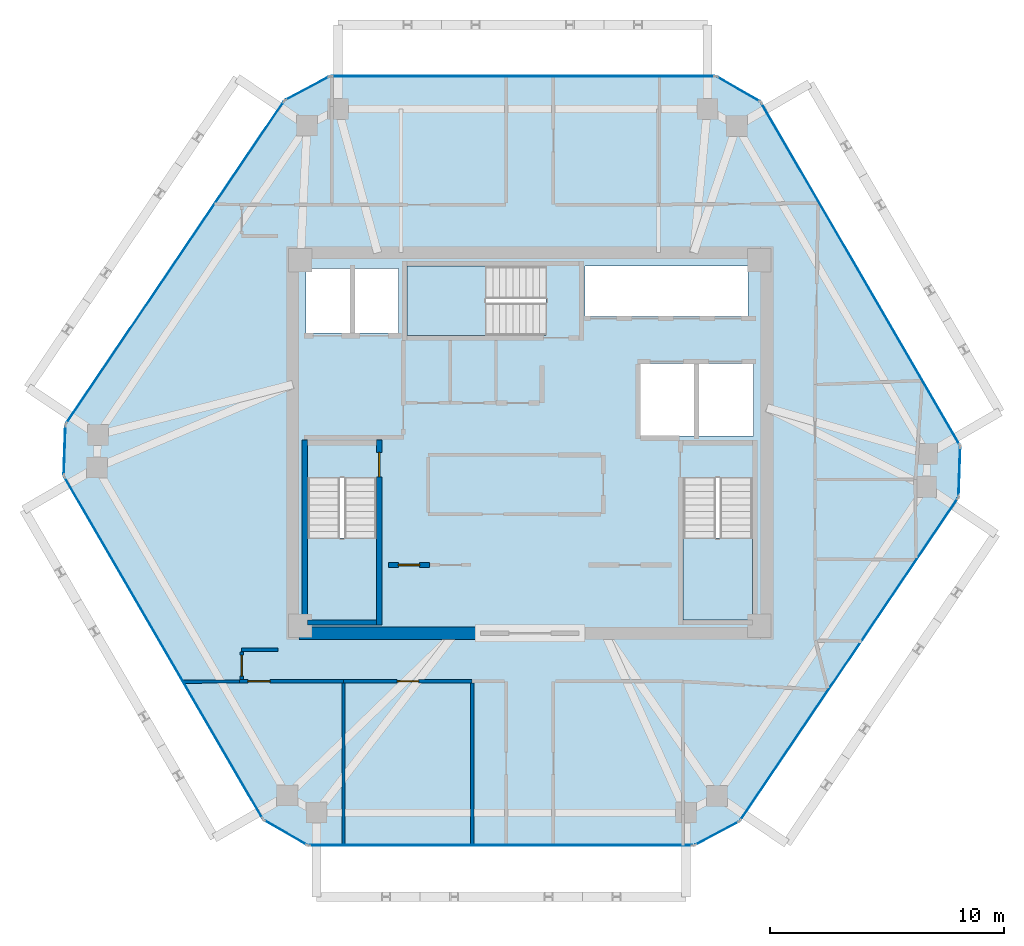
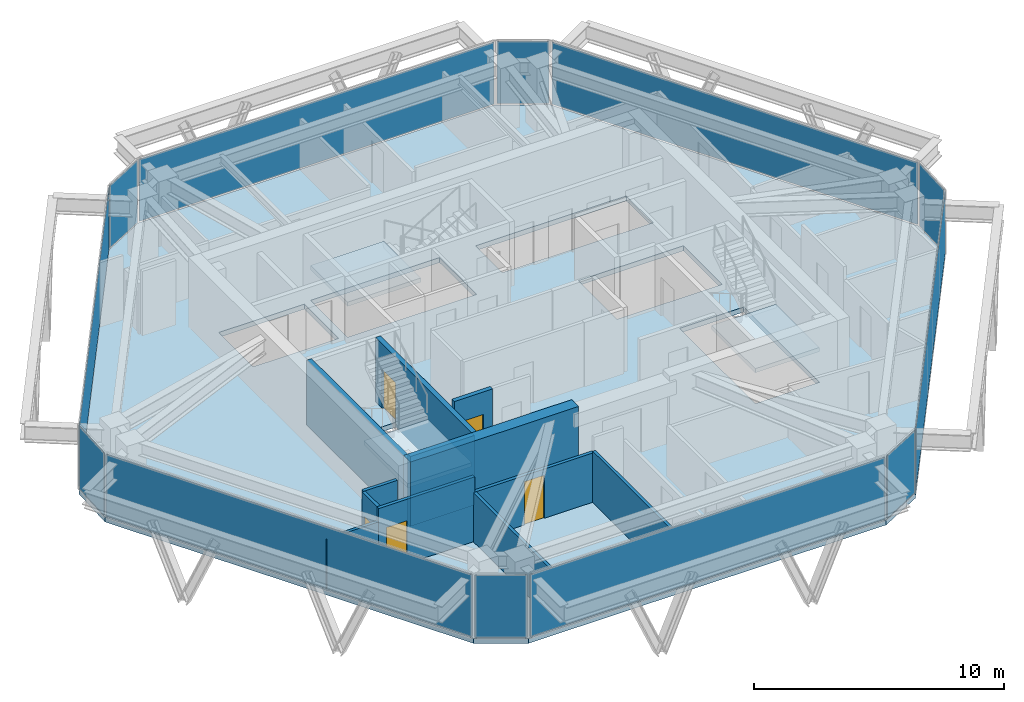
# One storey, part 7 of 11: 12 plates, 12 walls, 5 doors, 4 slabs, 5 openings, 15 elements without a shape of their own.
"""IFC4 building model written with IfcOpenShell, lengths in metres."""

from ifc_helpers import new_model, si_unit, direction, frame, frame_2d, origin, origin_2d, place, context, subcontext, project, spatial, polyline, rectangle, outline, extrude, source, transform, mapped, material, layer, layer_set, type_object, type_shapes, element, fill, aggregate, save


model = new_model("IFC4")

# Units and contexts
model_context = context("Model", 3, precision=1e-05, world=origin(), true_north=direction((0.0, 1.0)))
body_context = subcontext(model_context, "Body", "Model", "MODEL_VIEW")
ifc_project = project(units=[si_unit("LENGTHUNIT", "METRE"), si_unit("AREAUNIT", "SQUARE_METRE"), si_unit("VOLUMEUNIT", "CUBIC_METRE"), si_unit("PLANEANGLEUNIT", "RADIAN"), si_unit("MASSUNIT", "GRAM", prefix="KILO")], contexts=[model_context])

# Site, building, storey
site_placement = place(None, origin())
site = spatial("IfcSite", under=ifc_project, at=site_placement, CompositionType="ELEMENT")
building_placement = place(site_placement, origin())
building = spatial("IfcBuilding", under=site, at=building_placement, Name="Durnholm Broadcast Tower", CompositionType="ELEMENT")
storey_placement = place(building_placement, frame((0.0, 0.0, 258.10009765625)))
storey = spatial("IfcBuildingStorey", under=building, at=storey_placement, Name="L72", CompositionType="ELEMENT", Elevation=258.10009765625)

# Slab
ifc_material_1 = material(Name="Concrete C50/60", Category="concrete")
ifc_layer_1 = layer(ifc_material_1, 0.239990234375)
ifc_layer_set_1 = layer_set([ifc_layer_1], Name="Concrete C50/60")
slab_type_1 = type_object("IfcSlabType", Name="SLAB-FLR-240", PredefinedType="FLOOR", material=ifc_layer_set_1)
slab_1_placement = place(storey_placement, frame((0.0, 0.0, -0.239990234375)))
element("IfcSlab", 1, at=slab_1_placement, inside=storey, type_object=slab_type_1, Name="L72 structural floor slab", PredefinedType="FLOOR", context=body_context, shape_type="SweptSolid", body=[
    extrude(outline(polyline([(-11.384521484375, -16.088134765625), (-9.47802734375, -17.18603515625), (7.012451171875, -17.18603515625), (8.955322265625, -16.154296875), (18.307861328125, -2.3203125), (18.38330078125, -0.12158203125), (9.8603515625, 14.564208984375), (7.9541015625, 15.662109375), (-8.536376953125, 15.662109375), (-10.4794921875, 14.630126953125), (-19.831787109375, 0.79638671875), (-19.9072265625, -1.40234375), (-11.384521484375, -16.088134765625)]), holes=[polyline([(-6.5400390625, -1.5), (-9.5, -1.5), (-9.5, -7.550048828125), (-6.5400390625, -7.550048828125), (-6.5400390625, -1.5)]), polyline([(9.5, -7.550048828125), (9.5, -1.5), (6.5400390625, -1.5), (6.5400390625, -7.550048828125), (9.5, -7.550048828125)]), polyline([(9.550048828125, 3.39990234375), (4.699951171875, 3.39990234375), (4.699951171875, 0.300048828125), (9.550048828125, 0.300048828125), (9.550048828125, 3.39990234375)]), polyline([(-9.550048828125, 7.449951171875), (-9.550048828125, 4.699951171875), (-5.60009765625, 4.699951171875), (-5.60009765625, 7.449951171875), (-9.550048828125, 7.449951171875)]), polyline([(-5.25, 4.60009765625), (0.699951171875, 4.60009765625), (0.699951171875, 7.56005859375), (-5.25, 7.56005859375), (-5.25, 4.60009765625)]), polyline([(9.31005859375, 7.550048828125), (2.35009765625, 7.550048828125), (2.35009765625, 5.39990234375), (9.31005859375, 5.39990234375), (9.31005859375, 7.550048828125)])]), origin(), (0.0, 0.0, 1.0), 0.239990234375),
])

# Stair, slab
stair_type = type_object("IfcStairType", Name="STAIR-DL-20R1700", PredefinedType="HALF_TURN_STAIR", material=ifc_material_1)
stair_1_placement = place(storey_placement, origin())
stair_1 = element("IfcStair", 2, at=stair_1_placement, inside=storey, type_object=stair_type, Name="L72 ST-1", PredefinedType="HALF_TURN_STAIR")
ifc_layer_2 = layer(ifc_material_1, 0.199951171875)
ifc_layer_set_2 = layer_set([ifc_layer_2], Name="Concrete C50/60")
slab_type_2 = type_object("IfcSlabType", Name="SLAB-LND-200", PredefinedType="LANDING", material=ifc_layer_set_2)
slab_2_placement = place(storey_placement, frame((0.0, 0.0, 1.5)))
slab_2 = element("IfcSlab", 3, at=slab_2_placement, type_object=slab_type_2, Name="ST-1 landing 1", PredefinedType="LANDING", context=body_context, shape_type="SweptSolid", body=[
    extrude(outline(polyline([(-9.5, -4.06494140625), (-9.5, -7.550048828125), (-6.5400390625, -7.550048828125), (-6.5400390625, -4.06494140625), (-9.5, -4.06494140625)])), origin(), (0.0, 0.0, 1.0), 0.199951171875),
])
aggregate(stair_1, [slab_2])

stair_2_placement = place(storey_placement, origin())
stair_2 = element("IfcStair", 4, at=stair_2_placement, inside=storey, type_object=stair_type, Name="L72 ST-2", PredefinedType="HALF_TURN_STAIR")
slab_3_placement = place(storey_placement, frame((0.0, 0.0, 1.5)))
slab_3 = element("IfcSlab", 5, at=slab_3_placement, type_object=slab_type_2, Name="ST-2 landing 1", PredefinedType="LANDING", context=body_context, shape_type="SweptSolid", body=[
    extrude(outline(polyline([(6.5400390625, -4.06494140625), (6.5400390625, -7.550048828125), (9.5, -7.550048828125), (9.5, -4.06494140625), (6.5400390625, -4.06494140625)])), origin(), (0.0, 0.0, 1.0), 0.199951171875),
])
aggregate(stair_2, [slab_3])

stair_3_placement = place(storey_placement, origin())
stair_3 = element("IfcStair", 6, at=stair_3_placement, inside=storey, type_object=stair_type, Name="L72 ST-3", PredefinedType="HALF_TURN_STAIR")
slab_4_placement = place(storey_placement, frame((0.0, 0.0, 1.5)))
slab_4 = element("IfcSlab", 7, at=slab_4_placement, type_object=slab_type_2, Name="ST-3 landing 1", PredefinedType="LANDING", context=body_context, shape_type="SweptSolid", body=[
    extrude(outline(polyline([(-1.864990234375, 7.56005859375), (-5.25, 7.56005859375), (-5.25, 4.60009765625), (-1.864990234375, 4.60009765625), (-1.864990234375, 7.56005859375)])), origin(), (0.0, 0.0, 1.0), 0.199951171875),
])
aggregate(stair_3, [slab_4])

# Curtain wall, plate
ifc_material_2 = material(Name="Aluminium and Solar Control IGU", Category="aluminium")
ifc_layer_3 = layer(ifc_material_2, 0.1650390625)
ifc_layer_set_3 = layer_set([ifc_layer_3], Name="Aluminium and Solar Control IGU")
curtain_wall_type_1 = type_object("IfcCurtainWallType", Name="CW-SYS-5", PredefinedType="NOTDEFINED", material=ifc_layer_set_3)
curtain_wall_1_placement = place(storey_placement, origin())
curtain_wall_1 = element("IfcCurtainWall", 8, at=curtain_wall_1_placement, inside=storey, type_object=curtain_wall_type_1, Name="L72 curtain wall CW-CORNER CW-L72-CRN-01", PredefinedType="NOTDEFINED")
ifc_material_3 = material(Name="Low-E Laminated Insulating Glass", Category="glass")
ifc_layer_4 = layer(ifc_material_3, 0.030029296875)
ifc_layer_set_4 = layer_set([ifc_layer_4], Name="Low-E Laminated Insulating Glass")
plate_type_1 = type_object("IfcPlateType", Name="CW-SYS-5-PNL", PredefinedType="CURTAIN_PANEL", material=ifc_layer_set_4)
shared_shape_1 = source(origin(), body_context, "Body", "SweptSolid", [
    extrude(rectangle(XDim=2.070068359375, YDim=0.030029296875, at=origin_2d()), origin(), (0.0, 0.0, 1.0), 3.030029296875),
])
plate_1_placement = place(storey_placement, frame((-19.86962890625, -0.302978515625, 0.06494140625), z_axis=(0.0, 0.0, 1.0), x_axis=(0.034318245849, 0.999410955514, 0.0)))
plate_1 = element("IfcPlate", 9, at=plate_1_placement, type_object=plate_type_1, Name="CW-CORNER panel 1.1", PredefinedType="CURTAIN_PANEL", context=body_context, shape_type="MappedRepresentation", body=[
    mapped(shared_shape_1, transform((0.0, 0.0, 0.0), x_axis=(1.0, 0.0, 0.0), y_axis=(0.0, 1.0, 0.0), z_axis=(0.0, 0.0, 1.0), scale=1.0)),
])
aggregate(curtain_wall_1, [plate_1])

curtain_wall_2_placement = place(storey_placement, origin())
curtain_wall_2 = element("IfcCurtainWall", 10, at=curtain_wall_2_placement, inside=storey, type_object=curtain_wall_type_1, Name="L72 curtain wall CW-CORNER CW-L72-CRN-03", PredefinedType="NOTDEFINED")
plate_2_placement = place(storey_placement, frame((-9.5078125, 15.14599609375, 0.06494140625), z_axis=(0.0, 0.0, 1.0), x_axis=(0.883194569853, 0.469006771575, 0.0)))
plate_2 = element("IfcPlate", 11, at=plate_2_placement, type_object=plate_type_1, Name="CW-CORNER panel 1.1", PredefinedType="CURTAIN_PANEL", context=body_context, shape_type="MappedRepresentation", body=[
    mapped(shared_shape_1, transform((0.0, 0.0, 0.0), x_axis=(1.0, 0.0, 0.0), y_axis=(0.0, 1.0, 0.0), z_axis=(0.0, 0.0, 1.0), scale=1.0)),
])
aggregate(curtain_wall_2, [plate_2])

curtain_wall_3_placement = place(storey_placement, origin())
curtain_wall_3 = element("IfcCurtainWall", 12, at=curtain_wall_3_placement, inside=storey, type_object=curtain_wall_type_1, Name="L72 curtain wall CW-CORNER CW-L72-CRN-07", PredefinedType="NOTDEFINED")
plate_3_placement = place(storey_placement, frame((18.345458984375, -1.220947265625, 0.06494140625), z_axis=(0.0, 0.0, 1.0), x_axis=(-0.034318245849, -0.999410955514, 0.0)))
plate_3 = element("IfcPlate", 13, at=plate_3_placement, type_object=plate_type_1, Name="CW-CORNER panel 1.1", PredefinedType="CURTAIN_PANEL", context=body_context, shape_type="MappedRepresentation", body=[
    mapped(shared_shape_1, transform((0.0, 0.0, 0.0), x_axis=(1.0, 0.0, 0.0), y_axis=(0.0, 1.0, 0.0), z_axis=(0.0, 0.0, 1.0), scale=1.0)),
])
aggregate(curtain_wall_3, [plate_3])

curtain_wall_4_placement = place(storey_placement, origin())
curtain_wall_4 = element("IfcCurtainWall", 14, at=curtain_wall_4_placement, inside=storey, type_object=curtain_wall_type_1, Name="L72 curtain wall CW-CORNER CW-L72-CRN-09", PredefinedType="NOTDEFINED")
plate_4_placement = place(storey_placement, frame((7.98388671875, -16.670166015625, 0.06494140625), z_axis=(0.0, 0.0, 1.0), x_axis=(-0.883194569853, -0.469006771575, 0.0)))
plate_4 = element("IfcPlate", 15, at=plate_4_placement, type_object=plate_type_1, Name="CW-CORNER panel 1.1", PredefinedType="CURTAIN_PANEL", context=body_context, shape_type="MappedRepresentation", body=[
    mapped(shared_shape_1, transform((0.0, 0.0, 0.0), x_axis=(1.0, 0.0, 0.0), y_axis=(0.0, 1.0, 0.0), z_axis=(0.0, 0.0, 1.0), scale=1.0)),
])
aggregate(curtain_wall_4, [plate_4])

ifc_layer_5 = layer(ifc_material_2, 0.18994140625)
ifc_layer_set_5 = layer_set([ifc_layer_5], Name="Aluminium and Solar Control IGU")
curtain_wall_type_2 = type_object("IfcCurtainWallType", Name="CW-SYS-4", PredefinedType="NOTDEFINED", material=ifc_layer_set_5)
curtain_wall_5_placement = place(storey_placement, origin())
curtain_wall_5 = element("IfcCurtainWall", 16, at=curtain_wall_5_placement, inside=storey, type_object=curtain_wall_type_2, Name="L72 curtain wall CW-Z34-VIS CW-L72-F02", PredefinedType="NOTDEFINED")
ifc_layer_6 = layer(ifc_material_3, 0.033935546875)
ifc_layer_set_6 = layer_set([ifc_layer_6], Name="Low-E Laminated Insulating Glass")
plate_type_2 = type_object("IfcPlateType", Name="CW-SYS-4-PNL", PredefinedType="CURTAIN_PANEL", material=ifc_layer_set_6)
shared_shape_2 = source(origin(), body_context, "Body", "SweptSolid", [
    extrude(rectangle(XDim=16.55859375, YDim=0.033935546875, at=origin_2d()), origin(), (0.0, 0.0, 1.0), 3.02001953125),
])
plate_5_placement = place(storey_placement, frame((-15.155517578125, 7.71337890625, 0.06982421875), z_axis=(0.0, 0.0, 1.0), x_axis=(0.560072745753, 0.828443431662, 0.0)))
plate_5 = element("IfcPlate", 17, at=plate_5_placement, type_object=plate_type_2, Name="CW-Z34-VIS panel 1.1", PredefinedType="CURTAIN_PANEL", context=body_context, shape_type="MappedRepresentation", body=[
    mapped(shared_shape_2, transform((0.0, 0.0, 0.0), x_axis=(1.0, 0.0, 0.0), y_axis=(0.0, 1.0, 0.0), z_axis=(0.0, 0.0, 1.0), scale=1.0)),
])
aggregate(curtain_wall_5, [plate_5])

curtain_wall_6_placement = place(storey_placement, origin())
curtain_wall_6 = element("IfcCurtainWall", 18, at=curtain_wall_6_placement, inside=storey, type_object=curtain_wall_type_2, Name="L72 curtain wall CW-Z34-VIS CW-L72-F08", PredefinedType="NOTDEFINED")
plate_6_placement = place(storey_placement, frame((13.631591796875, -9.2373046875, 0.06982421875), z_axis=(0.0, 0.0, 1.0), x_axis=(-0.560072745753, -0.828443431662, 0.0)))
plate_6 = element("IfcPlate", 19, at=plate_6_placement, type_object=plate_type_2, Name="CW-Z34-VIS panel 1.1", PredefinedType="CURTAIN_PANEL", context=body_context, shape_type="MappedRepresentation", body=[
    mapped(shared_shape_2, transform((0.0, 0.0, 0.0), x_axis=(1.0, 0.0, 0.0), y_axis=(0.0, 1.0, 0.0), z_axis=(0.0, 0.0, 1.0), scale=1.0)),
])
aggregate(curtain_wall_6, [plate_6])

curtain_wall_7_placement = place(storey_placement, origin())
curtain_wall_7 = element("IfcCurtainWall", 20, at=curtain_wall_7_placement, inside=storey, type_object=curtain_wall_type_2, Name="L72 curtain wall CW-Z34-VIS CW-L72-F04", PredefinedType="NOTDEFINED")
shared_shape_3 = source(origin(), body_context, "Body", "SweptSolid", [
    extrude(rectangle(XDim=16.350341796875, YDim=0.033935546875, at=origin_2d()), origin(), (0.0, 0.0, 1.0), 3.02001953125),
])
plate_7_placement = place(storey_placement, frame((-0.291259765625, 15.662109375, 0.06982421875), z_axis=(0.0, 0.0, 1.0), x_axis=(1.0, 0.0, 0.0)))
plate_7 = element("IfcPlate", 21, at=plate_7_placement, type_object=plate_type_2, Name="CW-Z34-VIS panel 1.1", PredefinedType="CURTAIN_PANEL", context=body_context, shape_type="MappedRepresentation", body=[
    mapped(shared_shape_3, transform((0.0, 0.0, 0.0), x_axis=(1.0, 0.0, 0.0), y_axis=(0.0, 1.0, 0.0), z_axis=(0.0, 0.0, 1.0), scale=1.0)),
])
aggregate(curtain_wall_7, [plate_7])

curtain_wall_8_placement = place(storey_placement, origin())
curtain_wall_8 = element("IfcCurtainWall", 22, at=curtain_wall_8_placement, inside=storey, type_object=curtain_wall_type_2, Name="L72 curtain wall CW-Z34-VIS CW-L72-F10", PredefinedType="NOTDEFINED")
plate_8_placement = place(storey_placement, frame((-1.23291015625, -17.18603515625, 0.06982421875), z_axis=(0.0, 0.0, 1.0), x_axis=(-1.0, 0.0, 0.0)))
plate_8 = element("IfcPlate", 23, at=plate_8_placement, type_object=plate_type_2, Name="CW-Z34-VIS panel 1.1", PredefinedType="CURTAIN_PANEL", context=body_context, shape_type="MappedRepresentation", body=[
    mapped(shared_shape_3, transform((0.0, 0.0, 0.0), x_axis=(1.0, 0.0, 0.0), y_axis=(0.0, 1.0, 0.0), z_axis=(0.0, 0.0, 1.0), scale=1.0)),
])
aggregate(curtain_wall_8, [plate_8])

curtain_wall_9_placement = place(storey_placement, origin())
curtain_wall_9 = element("IfcCurtainWall", 24, at=curtain_wall_9_placement, inside=storey, type_object=curtain_wall_type_1, Name="L72 curtain wall CW-CORNER CW-L72-CRN-05", PredefinedType="NOTDEFINED")
shared_shape_4 = source(origin(), body_context, "Body", "SweptSolid", [
    extrude(rectangle(XDim=2.06982421875, YDim=0.030029296875, at=origin_2d()), origin(), (0.0, 0.0, 1.0), 3.030029296875),
])
type_shapes(plate_type_1, [shared_shape_1, shared_shape_4])
plate_9_placement = place(storey_placement, frame((8.9072265625, 15.113037109375, 0.06494140625), z_axis=(0.0, 0.0, 1.0), x_axis=(0.866568249707, -0.499058582333, 0.0)))
plate_9 = element("IfcPlate", 25, at=plate_9_placement, type_object=plate_type_1, Name="CW-CORNER panel 1.1", PredefinedType="CURTAIN_PANEL", context=body_context, shape_type="MappedRepresentation", body=[
    mapped(shared_shape_4, transform((0.0, 0.0, 0.0), x_axis=(1.0, 0.0, 0.0), y_axis=(0.0, 1.0, 0.0), z_axis=(0.0, 0.0, 1.0), scale=1.0)),
])
aggregate(curtain_wall_9, [plate_9])

curtain_wall_10_placement = place(storey_placement, origin())
curtain_wall_10 = element("IfcCurtainWall", 26, at=curtain_wall_10_placement, inside=storey, type_object=curtain_wall_type_1, Name="L72 curtain wall CW-CORNER CW-L72-CRN-11", PredefinedType="NOTDEFINED")
plate_10_placement = place(storey_placement, frame((-10.43115234375, -16.636962890625, 0.06494140625), z_axis=(0.0, 0.0, 1.0), x_axis=(-0.866568249707, 0.499058582333, 0.0)))
plate_10 = element("IfcPlate", 27, at=plate_10_placement, type_object=plate_type_1, Name="CW-CORNER panel 1.1", PredefinedType="CURTAIN_PANEL", context=body_context, shape_type="MappedRepresentation", body=[
    mapped(shared_shape_4, transform((0.0, 0.0, 0.0), x_axis=(1.0, 0.0, 0.0), y_axis=(0.0, 1.0, 0.0), z_axis=(0.0, 0.0, 1.0), scale=1.0)),
])
aggregate(curtain_wall_10, [plate_10])

curtain_wall_11_placement = place(storey_placement, origin())
curtain_wall_11 = element("IfcCurtainWall", 28, at=curtain_wall_11_placement, inside=storey, type_object=curtain_wall_type_2, Name="L72 curtain wall CW-Z34-VIS CW-L72-F06", PredefinedType="NOTDEFINED")
shared_shape_5 = source(origin(), body_context, "Body", "SweptSolid", [
    extrude(rectangle(XDim=16.83984375, YDim=0.033935546875, at=origin_2d()), origin(), (0.0, 0.0, 1.0), 3.02001953125),
])
type_shapes(plate_type_2, [shared_shape_2, shared_shape_3, shared_shape_5])
plate_11_placement = place(storey_placement, frame((14.121826171875, 7.22119140625, 0.06982421875), z_axis=(0.0, 0.0, 1.0), x_axis=(0.50194441023, -0.864899883824, 0.0)))
plate_11 = element("IfcPlate", 29, at=plate_11_placement, type_object=plate_type_2, Name="CW-Z34-VIS panel 1.1", PredefinedType="CURTAIN_PANEL", context=body_context, shape_type="MappedRepresentation", body=[
    mapped(shared_shape_5, transform((0.0, 0.0, 0.0), x_axis=(1.0, 0.0, 0.0), y_axis=(0.0, 1.0, 0.0), z_axis=(0.0, 0.0, 1.0), scale=1.0)),
])
aggregate(curtain_wall_11, [plate_11])

curtain_wall_12_placement = place(storey_placement, origin())
curtain_wall_12 = element("IfcCurtainWall", 30, at=curtain_wall_12_placement, inside=storey, type_object=curtain_wall_type_2, Name="L72 curtain wall CW-Z34-VIS CW-L72-F12", PredefinedType="NOTDEFINED")
plate_12_placement = place(storey_placement, frame((-15.645751953125, -8.7451171875, 0.06982421875), z_axis=(0.0, 0.0, 1.0), x_axis=(-0.50194441023, 0.864899883824, 0.0)))
plate_12 = element("IfcPlate", 31, at=plate_12_placement, type_object=plate_type_2, Name="CW-Z34-VIS panel 1.1", PredefinedType="CURTAIN_PANEL", context=body_context, shape_type="MappedRepresentation", body=[
    mapped(shared_shape_5, transform((0.0, 0.0, 0.0), x_axis=(1.0, 0.0, 0.0), y_axis=(0.0, 1.0, 0.0), z_axis=(0.0, 0.0, 1.0), scale=1.0)),
])
aggregate(curtain_wall_12, [plate_12])

# Wall
ifc_material_4 = material(Name="Concrete C70/85", Category="concrete")
ifc_layer_7 = layer(ifc_material_4, 0.550048828125)
ifc_layer_set_7 = layer_set([ifc_layer_7], Name="Concrete C70/85")
wall_type_1 = type_object("IfcWallType", Name="WALL-CW-550", PredefinedType="SHEAR", material=ifc_layer_set_7)
wall_1_placement = place(storey_placement, frame((-9.85009765625, -8.125, 0.0), z_axis=(0.0, 0.0, 1.0), x_axis=(1.0, 0.0, 0.0)))
element("IfcWall", 32, at=wall_1_placement, inside=storey, type_object=wall_type_1, Name="L72 central core shear wall CW-S1", PredefinedType="SHEAR", context=body_context, shape_type="SweptSolid", body=[
    extrude(rectangle(XDim=7.75, YDim=0.550048828125, at=frame_2d((3.875, 0.0))), origin(), (0.0, 0.0, 1.0), 3.39990234375),
])

# Wall, opening, door
ifc_material_5 = material(Name="Fire-Rated Gypsum Shaftwall", Category="concrete")
ifc_layer_8 = layer(ifc_material_5, 0.199951171875)
ifc_layer_set_8 = layer_set([ifc_layer_8], Name="Fire-Rated Gypsum Shaftwall")
wall_type_2 = type_object("IfcWallType", Name="WALL-LOB-200", PredefinedType="SOLIDWALL", material=ifc_layer_set_8)
wall_2_placement = place(storey_placement, frame((-6.0400390625, -5.2099609375, 0.0), z_axis=(0.0, 0.0, 1.0), x_axis=(1.0, 0.0, 0.0)))
wall_2 = element("IfcWall", 33, at=wall_2_placement, inside=storey, type_object=wall_type_2, Name="L72 Media Fiber Patch Room corridor partition", PredefinedType="SOLIDWALL", context=body_context, shape_type="SweptSolid", body=[
    extrude(rectangle(XDim=1.760009765625, YDim=0.199951171875, at=frame_2d((0.8798828125, 0.0))), origin(), (0.0, 0.0, 1.0), 3.14501953125),
])
opening_1_placement = place(wall_2_placement, frame((0.429931640625, 0.0, 0.0)))
opening_1 = element("IfcOpeningElement", 34, at=opening_1_placement, cuts=wall_2, Name="Opening DC-60R", PredefinedType="OPENING", context=body_context, shape_type="SweptSolid", body=[
    extrude(rectangle(XDim=0.89990234375, YDim=2.050048828125, at=frame_2d((0.449951171875, 1.02490234375))), frame((0.0, 0.10986328125, 0.0), z_axis=(0.0, -1.0, 0.0), x_axis=(1.0, 0.0, 0.0)), (0.0, 0.0, 1.0), 0.219970703125),
])
ifc_material_6 = material(Name="Fire-Rated Core Service Door", Category="steel")
ifc_layer_9 = layer(ifc_material_6, 0.050048828125)
ifc_layer_set_9 = layer_set([ifc_layer_9], Name="Fire-Rated Core Service Door")
door_type_1 = type_object("IfcDoorType", Name="DOOR-CORE-FD60-R", OperationType="NOTDEFINED", PredefinedType="DOOR", material=ifc_layer_set_9)
shared_shape_6 = source(origin(), body_context, "Body", "SweptSolid", [
    extrude(rectangle(XDim=0.89990234375, YDim=2.050048828125, at=frame_2d((0.449951171875, 1.02490234375))), frame((0.0, 0.02490234375, 0.0), z_axis=(0.0, -1.0, 0.0), x_axis=(1.0, 0.0, 0.0)), (0.0, 0.0, 1.0), 0.050048828125),
])
type_shapes(door_type_1, [shared_shape_6])
door_1_placement = place(opening_1_placement, origin())
door_1 = element("IfcDoor", 35, at=door_1_placement, inside=storey, type_object=door_type_1, Name="L72 Media Fiber Patch Room entrance door", OperationType="SINGLE_SWING_RIGHT", OverallHeight=2.050048828125, OverallWidth=0.89990234375, PredefinedType="DOOR", context=body_context, shape_type="MappedRepresentation", body=[
    mapped(shared_shape_6, transform((0.0, 0.0, 0.0), x_axis=(1.0, 0.0, 0.0), y_axis=(0.0, 1.0, 0.0), z_axis=(0.0, 0.0, 1.0), scale=1.0)),
])
fill(opening_1, door_1)

# Walls
ifc_material_7 = material(Name="Gypsum Metal Stud Partition", Category="concrete")
ifc_layer_10 = layer(ifc_material_7, 0.135009765625)
ifc_layer_set_10 = layer_set([ifc_layer_10], Name="Gypsum Metal Stud Partition")
wall_type_3 = type_object("IfcWallType", Name="WALL-PART-135", PredefinedType="PARTITIONING", material=ifc_layer_set_10)
wall_3_placement = place(storey_placement, frame((-7.9599609375, -10.259033203125, 0.0), z_axis=(0.0, 0.0, 1.0), x_axis=(0.0, -1.0, 0.0)))
element("IfcWall", 36, at=wall_3_placement, inside=storey, type_object=wall_type_3, Name="L72 room dividing partition 16.17", PredefinedType="PARTITIONING", context=body_context, shape_type="SweptSolid", body=[
    extrude(rectangle(XDim=6.927001953125, YDim=0.135009765625, at=frame_2d((3.46337890625, 0.0))), origin(), (0.0, 0.0, 1.0), 2.401123046875),
])
wall_4_placement = place(storey_placement, frame((-14.801513671875, -10.199951171875, 0.0), z_axis=(0.0, 0.0, 1.0), x_axis=(0.999968020968, 0.007997314604, 0.0)))
element("IfcWall", 37, at=wall_4_placement, inside=storey, type_object=wall_type_3, Name="L72 room dividing partition 16.21", PredefinedType="PARTITIONING", context=body_context, shape_type="SweptSolid", body=[
    extrude(rectangle(XDim=2.41162109375, YDim=0.135009765625, at=frame_2d((1.205810546875, 0.0))), origin(), (0.0, 0.0, 1.0), 2.498779296875),
])
wall_5_placement = place(storey_placement, frame((-2.4599609375, -10.259033203125, 0.0), z_axis=(0.0, 0.0, 1.0), x_axis=(0.0, -1.0, 0.0)))
element("IfcWall", 38, at=wall_5_placement, inside=storey, type_object=wall_type_3, Name="L72 room dividing partition 17.18", PredefinedType="PARTITIONING", context=body_context, shape_type="SweptSolid", body=[
    extrude(rectangle(XDim=6.927001953125, YDim=0.135009765625, at=frame_2d((3.46337890625, 0.0))), origin(), (0.0, 0.0, 1.0), 2.498779296875),
])

# Wall, opening, door
ifc_material_8 = material(Name="Acoustic Gypsum Stud Partition", Category="concrete")
ifc_layer_11 = layer(ifc_material_8, 0.14990234375)
ifc_layer_set_11 = layer_set([ifc_layer_11], Name="Acoustic Gypsum Stud Partition")
wall_type_4 = type_object("IfcWallType", Name="WALL-PART-150", PredefinedType="PARTITIONING", material=ifc_layer_set_11)
wall_6_placement = place(storey_placement, frame((-12.389892578125, -10.179931640625, 0.0), z_axis=(0.0, 0.0, 1.0), x_axis=(1.0, 0.0, 0.0)))
wall_6 = element("IfcWall", 39, at=wall_6_placement, inside=storey, type_object=wall_type_4, Name="L72 Open Plan Broadcast Workspace 6 corridor partition", PredefinedType="PARTITIONING", context=body_context, shape_type="SweptSolid", body=[
    extrude(rectangle(XDim=4.429931640625, YDim=0.14990234375, at=frame_2d((2.21484375, 0.0))), origin(), (0.0, 0.0, 1.0), 3.14501953125),
])
opening_2_placement = place(wall_6_placement, frame((0.35009765625, 0.0, 0.0)))
opening_2 = element("IfcOpeningElement", 40, at=opening_2_placement, cuts=wall_6, Name="Opening DR-95L", PredefinedType="OPENING", context=body_context, shape_type="SweptSolid", body=[
    extrude(rectangle(XDim=0.949951171875, YDim=2.10009765625, at=frame_2d((0.47509765625, 1.050048828125))), frame((0.0, 0.0849609375, 0.0), z_axis=(0.0, -1.0, 0.0), x_axis=(1.0, 0.0, 0.0)), (0.0, 0.0, 1.0), 0.169921875),
])
ifc_material_9 = material(Name="Acoustic Oak Veneer Timber Door", Category="wood")
ifc_layer_12 = layer(ifc_material_9, 0.050048828125)
ifc_layer_set_12 = layer_set([ifc_layer_12], Name="Acoustic Oak Veneer Timber Door")
door_type_2 = type_object("IfcDoorType", Name="DOOR-RM-950L", OperationType="NOTDEFINED", PredefinedType="DOOR", material=ifc_layer_set_12)
shared_shape_7 = source(origin(), body_context, "Body", "SweptSolid", [
    extrude(rectangle(XDim=0.949951171875, YDim=2.10009765625, at=frame_2d((0.47509765625, 1.050048828125))), frame((0.0, 0.02490234375, 0.0), z_axis=(0.0, -1.0, 0.0), x_axis=(1.0, 0.0, 0.0)), (0.0, 0.0, 1.0), 0.050048828125),
])
type_shapes(door_type_2, [shared_shape_7])
door_2_placement = place(opening_2_placement, origin())
door_2 = element("IfcDoor", 41, at=door_2_placement, inside=storey, type_object=door_type_2, Name="L72 Open Plan Broadcast Workspace 6 entrance door", OperationType="SINGLE_SWING_LEFT", OverallHeight=2.10009765625, OverallWidth=0.949951171875, PredefinedType="DOOR", context=body_context, shape_type="MappedRepresentation", body=[
    mapped(shared_shape_7, transform((0.0, 0.0, 0.0), x_axis=(1.0, 0.0, 0.0), y_axis=(0.0, 1.0, 0.0), z_axis=(0.0, 0.0, 1.0), scale=1.0)),
])
fill(opening_2, door_2)

wall_7_placement = place(storey_placement, frame((-7.9599609375, -10.179931640625, 0.0), z_axis=(0.0, 0.0, 1.0), x_axis=(1.0, 0.0, 0.0)))
wall_7 = element("IfcWall", 42, at=wall_7_placement, inside=storey, type_object=wall_type_4, Name="L72 Seminar Dining Room corridor partition", PredefinedType="PARTITIONING", context=body_context, shape_type="SweptSolid", body=[
    extrude(rectangle(XDim=5.5, YDim=0.14990234375, at=frame_2d((2.75, 0.0))), origin(), (0.0, 0.0, 1.0), 2.401123046875),
])
opening_3_placement = place(wall_7_placement, frame((2.2900390625, 0.0, 0.0)))
opening_3 = element("IfcOpeningElement", 43, at=opening_3_placement, cuts=wall_7, Name="Opening DR-92R", PredefinedType="OPENING", context=body_context, shape_type="SweptSolid", body=[
    extrude(rectangle(XDim=0.919921875, YDim=2.10009765625, at=frame_2d((0.4599609375, 1.050048828125))), frame((0.0, 0.0849609375, 0.0), z_axis=(0.0, -1.0, 0.0), x_axis=(1.0, 0.0, 0.0)), (0.0, 0.0, 1.0), 0.169921875),
])
ifc_material_10 = material(Name="Oak Veneer Office Door", Category="wood")
ifc_layer_13 = layer(ifc_material_10, 0.050048828125)
ifc_layer_set_13 = layer_set([ifc_layer_13], Name="Oak Veneer Office Door")
door_type_3 = type_object("IfcDoorType", Name="DOOR-RM-920R", OperationType="NOTDEFINED", PredefinedType="DOOR", material=ifc_layer_set_13)
shared_shape_8 = source(origin(), body_context, "Body", "SweptSolid", [
    extrude(rectangle(XDim=0.919921875, YDim=2.10009765625, at=frame_2d((0.4599609375, 1.050048828125))), frame((0.0, 0.02490234375, 0.0), z_axis=(0.0, -1.0, 0.0), x_axis=(1.0, 0.0, 0.0)), (0.0, 0.0, 1.0), 0.050048828125),
])
type_shapes(door_type_3, [shared_shape_8])
door_3_placement = place(opening_3_placement, origin())
door_3 = element("IfcDoor", 44, at=door_3_placement, inside=storey, type_object=door_type_3, Name="L72 Seminar Dining Room entrance door", OperationType="SINGLE_SWING_RIGHT", OverallHeight=2.10009765625, OverallWidth=0.919921875, PredefinedType="DOOR", context=body_context, shape_type="MappedRepresentation", body=[
    mapped(shared_shape_8, transform((0.0, 0.0, 0.0), x_axis=(1.0, 0.0, 0.0), y_axis=(0.0, 1.0, 0.0), z_axis=(0.0, 0.0, 1.0), scale=1.0)),
])
fill(opening_3, door_3)

# Wall
wall_8_placement = place(storey_placement, frame((-10.760009765625, -8.840087890625, 0.0), z_axis=(0.0, 0.0, 1.0), x_axis=(-1.0, 0.0, 0.0)))
element("IfcWall", 45, at=wall_8_placement, inside=storey, type_object=wall_type_4, Name="L72 Fellows Meeting Room 3 corridor partition", PredefinedType="PARTITIONING", context=body_context, shape_type="SweptSolid", body=[
    extrude(rectangle(XDim=1.550048828125, YDim=0.14990234375, at=frame_2d((0.77490234375, 0.0))), origin(), (0.0, 0.0, 1.0), 3.14501953125),
])

# Wall, opening, door
wall_9_placement = place(storey_placement, frame((-12.31005859375, -8.9189453125, 0.0), z_axis=(0.0, 0.0, 1.0), x_axis=(0.0, -1.0, 0.0)))
wall_9 = element("IfcWall", 46, at=wall_9_placement, inside=storey, type_object=wall_type_4, Name="L72 Fellows Meeting Room 3 corridor partition", PredefinedType="PARTITIONING", context=body_context, shape_type="SweptSolid", body=[
    extrude(rectangle(XDim=1.18212890625, YDim=0.14990234375, at=frame_2d((0.591064453125, 0.0))), origin(), (0.0, 0.0, 1.0), 3.14501953125),
])
opening_4_placement = place(wall_9_placement, frame((0.14111328125, 0.0, 0.0)))
opening_4 = element("IfcOpeningElement", 47, at=opening_4_placement, cuts=wall_9, Name="Opening DW-90L", PredefinedType="OPENING", context=body_context, shape_type="SweptSolid", body=[
    extrude(rectangle(XDim=0.89990234375, YDim=2.050048828125, at=frame_2d((0.449951171875, 1.02490234375))), frame((0.0, 0.0849609375, 0.0), z_axis=(0.0, -1.0, 0.0), x_axis=(1.0, 0.0, 0.0)), (0.0, 0.0, 1.0), 0.169921875),
])
ifc_material_11 = material(Name="Laminate Restroom Door", Category="steel")
ifc_layer_14 = layer(ifc_material_11, 0.050048828125)
ifc_layer_set_14 = layer_set([ifc_layer_14], Name="Laminate Restroom Door")
door_type_4 = type_object("IfcDoorType", Name="DOOR-WC-900L", OperationType="NOTDEFINED", PredefinedType="DOOR", material=ifc_layer_set_14)
shared_shape_9 = source(origin(), body_context, "Body", "SweptSolid", [
    extrude(rectangle(XDim=0.89990234375, YDim=2.050048828125, at=frame_2d((0.449951171875, 1.02490234375))), frame((0.0, 0.02490234375, 0.0), z_axis=(0.0, -1.0, 0.0), x_axis=(1.0, 0.0, 0.0)), (0.0, 0.0, 1.0), 0.050048828125),
])
type_shapes(door_type_4, [shared_shape_9])
door_4_placement = place(opening_4_placement, origin())
door_4 = element("IfcDoor", 48, at=door_4_placement, inside=storey, type_object=door_type_4, Name="L72 Fellows Meeting Room 3 entrance door", OperationType="SINGLE_SWING_LEFT", OverallHeight=2.050048828125, OverallWidth=0.89990234375, PredefinedType="DOOR", context=body_context, shape_type="MappedRepresentation", body=[
    mapped(shared_shape_9, transform((0.0, 0.0, 0.0), x_axis=(1.0, 0.0, 0.0), y_axis=(0.0, 1.0, 0.0), z_axis=(0.0, 0.0, 1.0), scale=1.0)),
])
fill(opening_4, door_4)

ifc_layer_15 = layer(ifc_material_1, 0.219970703125)
ifc_layer_set_15 = layer_set([ifc_layer_15], Name="Concrete C50/60")
wall_type_5 = type_object("IfcWallType", Name="WALL-SW-220", PredefinedType="SHEAR", material=ifc_layer_set_15)
wall_10_placement = place(storey_placement, frame((-6.429931640625, -7.77001953125, -0.239990234375), z_axis=(0.0, 0.0, 1.0), x_axis=(0.0, 1.0, 0.0)))
wall_10 = element("IfcWall", 49, at=wall_10_placement, inside=storey, type_object=wall_type_5, Name="L72 stair ST-1 structural shaft wall E", PredefinedType="SHEAR", context=body_context, shape_type="SweptSolid", body=[
    extrude(rectangle(XDim=7.89013671875, YDim=0.219970703125, at=frame_2d((3.945068359375, 0.0))), origin(), (0.0, 0.0, 1.0), 3.39990234375),
])
opening_5_placement = place(wall_10_placement, frame((6.320068359375, 0.0, 0.0)))
opening_5 = element("IfcOpeningElement", 50, at=opening_5_placement, cuts=wall_10, Name="Opening DS-90L", PredefinedType="OPENING", context=body_context, shape_type="SweptSolid", body=[
    extrude(rectangle(XDim=1.050048828125, YDim=2.14990234375, at=frame_2d((0.52490234375, 1.074951171875))), frame((0.0, 0.1201171875, 0.0), z_axis=(0.0, -1.0, 0.0), x_axis=(1.0, 0.0, 0.0)), (0.0, 0.0, 1.0), 0.239990234375),
])
ifc_material_12 = material(Name="Fire-Rated Steel Door", Category="steel")
ifc_layer_16 = layer(ifc_material_12, 0.050048828125)
ifc_layer_set_16 = layer_set([ifc_layer_16], Name="Fire-Rated Steel Door")
door_type_5 = type_object("IfcDoorType", Name="DOOR-ST-FD90-L", OperationType="NOTDEFINED", PredefinedType="DOOR", material=ifc_layer_set_16)
shared_shape_10 = source(origin(), body_context, "Body", "SweptSolid", [
    extrude(rectangle(XDim=1.050048828125, YDim=2.14990234375, at=frame_2d((0.52490234375, 1.074951171875))), frame((0.0, 0.02490234375, 0.0), z_axis=(0.0, -1.0, 0.0), x_axis=(1.0, 0.0, 0.0)), (0.0, 0.0, 1.0), 0.050048828125),
])
type_shapes(door_type_5, [shared_shape_10])
door_5_placement = place(opening_5_placement, origin())
door_5 = element("IfcDoor", 51, at=door_5_placement, inside=storey, type_object=door_type_5, Name="L72 exit stair ST-1 fire door", OperationType="SINGLE_SWING_LEFT", OverallHeight=2.14990234375, OverallWidth=1.050048828125, PredefinedType="DOOR", context=body_context, shape_type="MappedRepresentation", body=[
    mapped(shared_shape_10, transform((0.0, 0.0, 0.0), x_axis=(1.0, 0.0, 0.0), y_axis=(0.0, 1.0, 0.0), z_axis=(0.0, 0.0, 1.0), scale=1.0)),
])
fill(opening_5, door_5)

# Walls
wall_11_placement = place(storey_placement, frame((-9.610107421875, 0.1201171875, -0.239990234375), z_axis=(0.0, 0.0, 1.0), x_axis=(0.0, -1.0, 0.0)))
element("IfcWall", 52, at=wall_11_placement, inside=storey, type_object=wall_type_5, Name="L72 stair ST-1 structural shaft wall W", PredefinedType="SHEAR", context=body_context, shape_type="SweptSolid", body=[
    extrude(rectangle(XDim=7.89013671875, YDim=0.219970703125, at=frame_2d((3.945068359375, 0.0))), origin(), (0.0, 0.0, 1.0), 3.39990234375),
])
wall_12_placement = place(storey_placement, frame((-9.5, -7.659912109375, -0.239990234375), z_axis=(0.0, 0.0, 1.0), x_axis=(1.0, 0.0, 0.0)))
element("IfcWall", 53, at=wall_12_placement, inside=storey, type_object=wall_type_5, Name="L72 stair ST-1 structural shaft wall S", PredefinedType="SHEAR", context=body_context, shape_type="SweptSolid", body=[
    extrude(rectangle(XDim=2.9599609375, YDim=0.219970703125, at=frame_2d((1.47998046875, 0.0))), origin(), (0.0, 0.0, 1.0), 3.39990234375),
])

save(model, "model.ifc")
